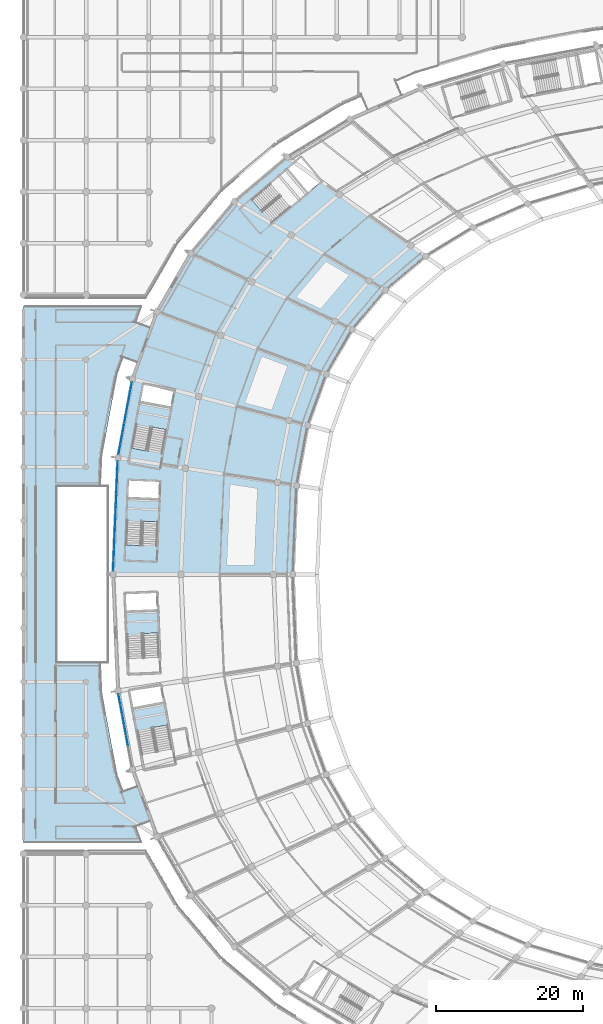
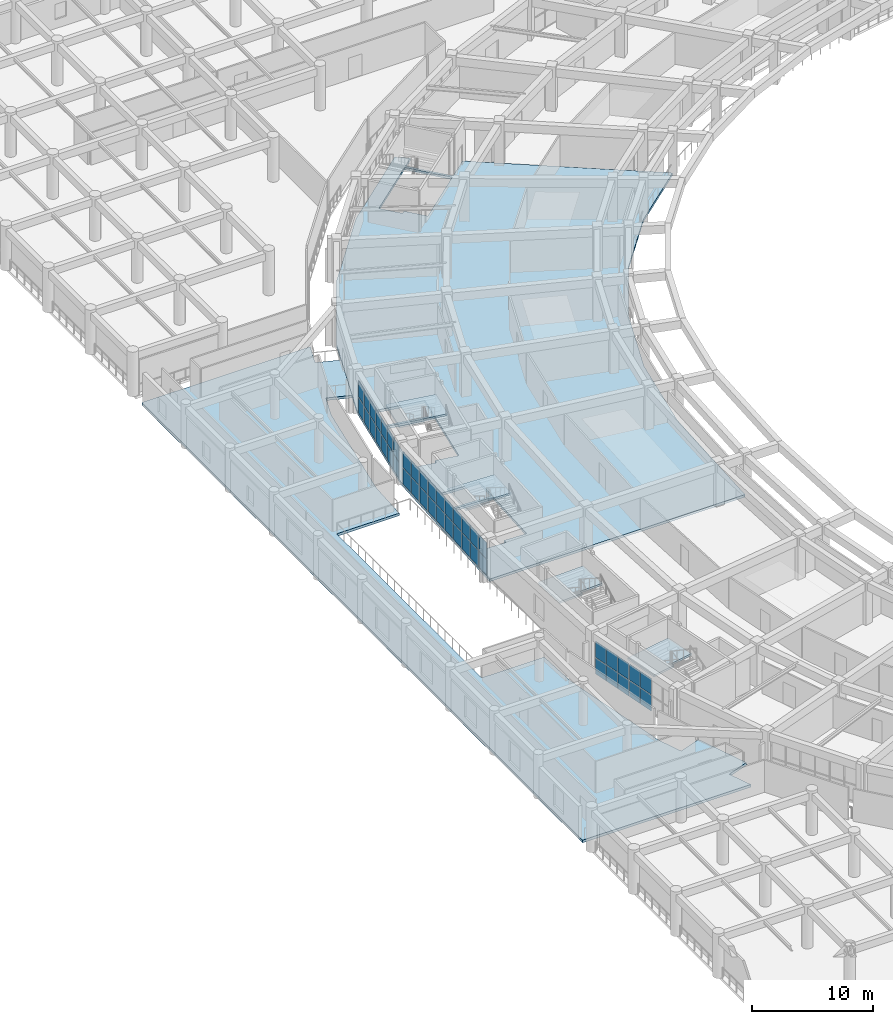
# One storey, part 81 of 145: 44 plates, 6 slabs, 7 elements without a shape of their own.
"""IFC4 building model written with IfcOpenShell, lengths in metres."""

from ifc_helpers import new_model, si_unit, direction, frame, origin, origin_2d, place, context, subcontext, project, spatial, polyline, rectangle, outline, extrude, material, layer, layer_set, type_object, element, aggregate, save


model = new_model("IFC4")

# Units and contexts
model_context = context("Model", 3, precision=1e-05, world=origin(), true_north=direction((0.0, 1.0)))
body_context = subcontext(model_context, "Body", "Model", "MODEL_VIEW")
ifc_project = project(units=[si_unit("LENGTHUNIT", "METRE"), si_unit("AREAUNIT", "SQUARE_METRE"), si_unit("VOLUMEUNIT", "CUBIC_METRE"), si_unit("PLANEANGLEUNIT", "RADIAN"), si_unit("MASSUNIT", "GRAM", prefix="KILO")], contexts=[model_context])

# Site, building, storey
site_placement = place(None, origin())
site = spatial("IfcSite", under=ifc_project, at=site_placement, CompositionType="ELEMENT")
building_placement = place(site_placement, origin())
building = spatial("IfcBuilding", under=site, at=building_placement, Name="Mphavela Belvedere Stadium", CompositionType="ELEMENT")
storey_placement = place(building_placement, frame((0.0, 0.0, 10.199951171875)))
storey = spatial("IfcBuildingStorey", under=building, at=storey_placement, Name="L02", CompositionType="ELEMENT", Elevation=10.199951171875)

# Curtain wall, plates
ifc_material_1 = material(Name="Anodised bronze unitised curtain wall framing")
ifc_layer_1 = layer(ifc_material_1, 0.18505859375)
ifc_layer_set_1 = layer_set([ifc_layer_1], Name="Anodised bronze unitised curtain wall framing")
curtain_wall_type_1 = type_object("IfcCurtainWallType", Name="CW-UNIT-02", PredefinedType="USERDEFINED", material=ifc_layer_set_1)
curtain_wall_1_placement = place(storey_placement, origin())
curtain_wall_1 = element("IfcCurtainWall", 1, at=curtain_wall_1_placement, inside=storey, type_object=curtain_wall_type_1, Name="Belvedere colonnade curtain wall L02-23", ObjectType="UNITISED CURTAIN WALL", PredefinedType="USERDEFINED")
ifc_material_2 = material(Name="Solar-control double glazing", Category="glass")
ifc_layer_2 = layer(ifc_material_2, 0.031982421875)
ifc_layer_set_2 = layer_set([ifc_layer_2], Name="Solar-control double glazing")
plate_type = type_object("IfcPlateType", Name="CWP-SOLAR-GLASS", PredefinedType="CURTAIN_PANEL", material=ifc_layer_set_2)
plate_1_placement = place(storey_placement, frame((14.6279296875, 112.445556640625, 0.06005859375), z_axis=(0.0, 0.0, 1.0), x_axis=(-0.182625402503, -0.983182568174, 0.0)))
plate_1 = element("IfcPlate", 2, at=plate_1_placement, type_object=plate_type, Name="CW-02 panel 1.1", PredefinedType="CURTAIN_PANEL", context=body_context, shape_type="SweptSolid", body=[
    extrude(rectangle(XDim=1.345947265625, YDim=0.031982421875, at=origin_2d()), origin(), (0.0, 0.0, 1.0), 1.6201171875),
])
plate_2_placement = place(storey_placement, frame((14.6279296875, 112.445556640625, 1.739990234375), z_axis=(0.0, 0.0, 1.0), x_axis=(-0.182625402503, -0.983182568174, 0.0)))
plate_2 = element("IfcPlate", 3, at=plate_2_placement, type_object=plate_type, Name="CW-02 panel 1.2", PredefinedType="CURTAIN_PANEL", context=body_context, shape_type="SweptSolid", body=[
    extrude(rectangle(XDim=1.345947265625, YDim=0.031982421875, at=origin_2d()), origin(), (0.0, 0.0, 1.0), 1.6201171875),
])
plate_3_placement = place(storey_placement, frame((14.3671875, 111.042236328125, 0.06005859375), z_axis=(0.0, 0.0, 1.0), x_axis=(-0.182625402503, -0.983182568174, 0.0)))
plate_3 = element("IfcPlate", 4, at=plate_3_placement, type_object=plate_type, Name="CW-02 panel 2.1", PredefinedType="CURTAIN_PANEL", context=body_context, shape_type="SweptSolid", body=[
    extrude(rectangle(XDim=1.378662109375, YDim=0.031982421875, at=origin_2d()), origin(), (0.0, 0.0, 1.0), 1.6201171875),
])
plate_4_placement = place(storey_placement, frame((14.3671875, 111.042236328125, 1.739990234375), z_axis=(0.0, 0.0, 1.0), x_axis=(-0.182625402503, -0.983182568174, 0.0)))
plate_4 = element("IfcPlate", 5, at=plate_4_placement, type_object=plate_type, Name="CW-02 panel 2.2", PredefinedType="CURTAIN_PANEL", context=body_context, shape_type="SweptSolid", body=[
    extrude(rectangle(XDim=1.378662109375, YDim=0.031982421875, at=origin_2d()), origin(), (0.0, 0.0, 1.0), 1.6201171875),
])
plate_5_placement = place(storey_placement, frame((14.103515625, 109.623046875, 0.06005859375), z_axis=(0.0, 0.0, 1.0), x_axis=(-0.182625402503, -0.983182568174, 0.0)))
plate_5 = element("IfcPlate", 6, at=plate_5_placement, type_object=plate_type, Name="CW-02 panel 3.1", PredefinedType="CURTAIN_PANEL", context=body_context, shape_type="SweptSolid", body=[
    extrude(rectangle(XDim=1.378662109375, YDim=0.031982421875, at=origin_2d()), origin(), (0.0, 0.0, 1.0), 1.6201171875),
])
plate_6_placement = place(storey_placement, frame((14.103515625, 109.623046875, 1.739990234375), z_axis=(0.0, 0.0, 1.0), x_axis=(-0.182625402503, -0.983182568174, 0.0)))
plate_6 = element("IfcPlate", 7, at=plate_6_placement, type_object=plate_type, Name="CW-02 panel 3.2", PredefinedType="CURTAIN_PANEL", context=body_context, shape_type="SweptSolid", body=[
    extrude(rectangle(XDim=1.378662109375, YDim=0.031982421875, at=origin_2d()), origin(), (0.0, 0.0, 1.0), 1.6201171875),
])
plate_7_placement = place(storey_placement, frame((13.840087890625, 108.203857421875, 0.06005859375), z_axis=(0.0, 0.0, 1.0), x_axis=(-0.182625402503, -0.983182568174, 0.0)))
plate_7 = element("IfcPlate", 8, at=plate_7_placement, type_object=plate_type, Name="CW-02 panel 4.1", PredefinedType="CURTAIN_PANEL", context=body_context, shape_type="SweptSolid", body=[
    extrude(rectangle(XDim=1.378662109375, YDim=0.031982421875, at=origin_2d()), origin(), (0.0, 0.0, 1.0), 1.6201171875),
])
plate_8_placement = place(storey_placement, frame((13.840087890625, 108.203857421875, 1.739990234375), z_axis=(0.0, 0.0, 1.0), x_axis=(-0.182625402503, -0.983182568174, 0.0)))
plate_8 = element("IfcPlate", 9, at=plate_8_placement, type_object=plate_type, Name="CW-02 panel 4.2", PredefinedType="CURTAIN_PANEL", context=body_context, shape_type="SweptSolid", body=[
    extrude(rectangle(XDim=1.378662109375, YDim=0.031982421875, at=origin_2d()), origin(), (0.0, 0.0, 1.0), 1.6201171875),
])
plate_9_placement = place(storey_placement, frame((13.576416015625, 106.784423828125, 0.06005859375), z_axis=(0.0, 0.0, 1.0), x_axis=(-0.182625402503, -0.983182568174, 0.0)))
plate_9 = element("IfcPlate", 10, at=plate_9_placement, type_object=plate_type, Name="CW-02 panel 5.1", PredefinedType="CURTAIN_PANEL", context=body_context, shape_type="SweptSolid", body=[
    extrude(rectangle(XDim=1.378662109375, YDim=0.031982421875, at=origin_2d()), origin(), (0.0, 0.0, 1.0), 1.6201171875),
])
plate_10_placement = place(storey_placement, frame((13.576416015625, 106.784423828125, 1.739990234375), z_axis=(0.0, 0.0, 1.0), x_axis=(-0.182625402503, -0.983182568174, 0.0)))
plate_10 = element("IfcPlate", 11, at=plate_10_placement, type_object=plate_type, Name="CW-02 panel 5.2", PredefinedType="CURTAIN_PANEL", context=body_context, shape_type="SweptSolid", body=[
    extrude(rectangle(XDim=1.378662109375, YDim=0.031982421875, at=origin_2d()), origin(), (0.0, 0.0, 1.0), 1.6201171875),
])
plate_11_placement = place(storey_placement, frame((13.312744140625, 105.365234375, 0.06005859375), z_axis=(0.0, 0.0, 1.0), x_axis=(-0.182625402503, -0.983182568174, 0.0)))
plate_11 = element("IfcPlate", 12, at=plate_11_placement, type_object=plate_type, Name="CW-02 panel 6.1", PredefinedType="CURTAIN_PANEL", context=body_context, shape_type="SweptSolid", body=[
    extrude(rectangle(XDim=1.378662109375, YDim=0.031982421875, at=origin_2d()), origin(), (0.0, 0.0, 1.0), 1.6201171875),
])
plate_12_placement = place(storey_placement, frame((13.312744140625, 105.365234375, 1.739990234375), z_axis=(0.0, 0.0, 1.0), x_axis=(-0.182625402503, -0.983182568174, 0.0)))
plate_12 = element("IfcPlate", 13, at=plate_12_placement, type_object=plate_type, Name="CW-02 panel 6.2", PredefinedType="CURTAIN_PANEL", context=body_context, shape_type="SweptSolid", body=[
    extrude(rectangle(XDim=1.378662109375, YDim=0.031982421875, at=origin_2d()), origin(), (0.0, 0.0, 1.0), 1.6201171875),
])
plate_13_placement = place(storey_placement, frame((13.052001953125, 103.9619140625, 0.06005859375), z_axis=(0.0, 0.0, 1.0), x_axis=(-0.182625402503, -0.983182568174, 0.0)))
plate_13 = element("IfcPlate", 14, at=plate_13_placement, type_object=plate_type, Name="CW-02 panel 7.1", PredefinedType="CURTAIN_PANEL", context=body_context, shape_type="SweptSolid", body=[
    extrude(rectangle(XDim=1.345947265625, YDim=0.031982421875, at=origin_2d()), origin(), (0.0, 0.0, 1.0), 1.6201171875),
])
plate_14_placement = place(storey_placement, frame((13.052001953125, 103.9619140625, 1.739990234375), z_axis=(0.0, 0.0, 1.0), x_axis=(-0.182625402503, -0.983182568174, 0.0)))
plate_14 = element("IfcPlate", 15, at=plate_14_placement, type_object=plate_type, Name="CW-02 panel 7.2", PredefinedType="CURTAIN_PANEL", context=body_context, shape_type="SweptSolid", body=[
    extrude(rectangle(XDim=1.345947265625, YDim=0.031982421875, at=origin_2d()), origin(), (0.0, 0.0, 1.0), 1.6201171875),
])
aggregate(curtain_wall_1, [plate_1, plate_2, plate_3, plate_4, plate_5, plate_6, plate_7, plate_8, plate_9, plate_10, plate_11, plate_12, plate_13, plate_14])

ifc_material_3 = material(Name="Anodised bronze unitised curtain wall framing")
ifc_layer_3 = layer(ifc_material_3, 0.18994140625)
ifc_layer_set_3 = layer_set([ifc_layer_3], Name="Anodised bronze unitised curtain wall framing")
curtain_wall_type_2 = type_object("IfcCurtainWallType", Name="CW-UNIT-03", PredefinedType="USERDEFINED", material=ifc_layer_set_3)
curtain_wall_2_placement = place(storey_placement, origin())
curtain_wall_2 = element("IfcCurtainWall", 16, at=curtain_wall_2_placement, inside=storey, type_object=curtain_wall_type_2, Name="Belvedere colonnade curtain wall L02-24", ObjectType="UNITISED CURTAIN WALL", PredefinedType="USERDEFINED")
plate_15_placement = place(storey_placement, frame((12.795654296875, 101.678466796875, 0.06005859375), z_axis=(0.0, 0.0, 1.0), x_axis=(-0.04190447371, -0.999121621767, 0.0)))
plate_15 = element("IfcPlate", 17, at=plate_15_placement, type_object=plate_type, Name="CW-03 panel 1.1", PredefinedType="CURTAIN_PANEL", context=body_context, shape_type="SweptSolid", body=[
    extrude(rectangle(XDim=1.40869140625, YDim=0.031982421875, at=origin_2d()), origin(), (0.0, 0.0, 1.0), 1.6201171875),
])
plate_16_placement = place(storey_placement, frame((12.795654296875, 101.678466796875, 1.739990234375), z_axis=(0.0, 0.0, 1.0), x_axis=(-0.04190447371, -0.999121621767, 0.0)))
plate_16 = element("IfcPlate", 18, at=plate_16_placement, type_object=plate_type, Name="CW-03 panel 1.2", PredefinedType="CURTAIN_PANEL", context=body_context, shape_type="SweptSolid", body=[
    extrude(rectangle(XDim=1.40869140625, YDim=0.031982421875, at=origin_2d()), origin(), (0.0, 0.0, 1.0), 1.6201171875),
])
plate_17_placement = place(storey_placement, frame((12.733154296875, 100.18994140625, 0.06005859375), z_axis=(0.0, 0.0, 1.0), x_axis=(-0.04190447371, -0.999121621767, 0.0)))
plate_17 = element("IfcPlate", 19, at=plate_17_placement, type_object=plate_type, Name="CW-03 panel 2.1", PredefinedType="CURTAIN_PANEL", context=body_context, shape_type="SweptSolid", body=[
    extrude(rectangle(XDim=1.441162109375, YDim=0.031982421875, at=origin_2d()), origin(), (0.0, 0.0, 1.0), 1.6201171875),
])
plate_18_placement = place(storey_placement, frame((12.733154296875, 100.18994140625, 1.739990234375), z_axis=(0.0, 0.0, 1.0), x_axis=(-0.04190447371, -0.999121621767, 0.0)))
plate_18 = element("IfcPlate", 20, at=plate_18_placement, type_object=plate_type, Name="CW-03 panel 2.2", PredefinedType="CURTAIN_PANEL", context=body_context, shape_type="SweptSolid", body=[
    extrude(rectangle(XDim=1.441162109375, YDim=0.031982421875, at=origin_2d()), origin(), (0.0, 0.0, 1.0), 1.6201171875),
])
plate_19_placement = place(storey_placement, frame((12.670166015625, 98.684814453125, 0.06005859375), z_axis=(0.0, 0.0, 1.0), x_axis=(-0.04190447371, -0.999121621767, 0.0)))
plate_19 = element("IfcPlate", 21, at=plate_19_placement, type_object=plate_type, Name="CW-03 panel 3.1", PredefinedType="CURTAIN_PANEL", context=body_context, shape_type="SweptSolid", body=[
    extrude(rectangle(XDim=1.441162109375, YDim=0.031982421875, at=origin_2d()), origin(), (0.0, 0.0, 1.0), 1.6201171875),
])
plate_20_placement = place(storey_placement, frame((12.670166015625, 98.684814453125, 1.739990234375), z_axis=(0.0, 0.0, 1.0), x_axis=(-0.04190447371, -0.999121621767, 0.0)))
plate_20 = element("IfcPlate", 22, at=plate_20_placement, type_object=plate_type, Name="CW-03 panel 3.2", PredefinedType="CURTAIN_PANEL", context=body_context, shape_type="SweptSolid", body=[
    extrude(rectangle(XDim=1.441162109375, YDim=0.031982421875, at=origin_2d()), origin(), (0.0, 0.0, 1.0), 1.6201171875),
])
plate_21_placement = place(storey_placement, frame((12.60693359375, 97.179931640625, 0.06005859375), z_axis=(0.0, 0.0, 1.0), x_axis=(-0.04190447371, -0.999121621767, 0.0)))
plate_21 = element("IfcPlate", 23, at=plate_21_placement, type_object=plate_type, Name="CW-03 panel 4.1", PredefinedType="CURTAIN_PANEL", context=body_context, shape_type="SweptSolid", body=[
    extrude(rectangle(XDim=1.441162109375, YDim=0.031982421875, at=origin_2d()), origin(), (0.0, 0.0, 1.0), 1.6201171875),
])
plate_22_placement = place(storey_placement, frame((12.60693359375, 97.179931640625, 1.739990234375), z_axis=(0.0, 0.0, 1.0), x_axis=(-0.04190447371, -0.999121621767, 0.0)))
plate_22 = element("IfcPlate", 24, at=plate_22_placement, type_object=plate_type, Name="CW-03 panel 4.2", PredefinedType="CURTAIN_PANEL", context=body_context, shape_type="SweptSolid", body=[
    extrude(rectangle(XDim=1.441162109375, YDim=0.031982421875, at=origin_2d()), origin(), (0.0, 0.0, 1.0), 1.6201171875),
])
plate_23_placement = place(storey_placement, frame((12.5439453125, 95.675048828125, 0.06005859375), z_axis=(0.0, 0.0, 1.0), x_axis=(-0.04190447371, -0.999121621767, 0.0)))
plate_23 = element("IfcPlate", 25, at=plate_23_placement, type_object=plate_type, Name="CW-03 panel 5.1", PredefinedType="CURTAIN_PANEL", context=body_context, shape_type="SweptSolid", body=[
    extrude(rectangle(XDim=1.441162109375, YDim=0.031982421875, at=origin_2d()), origin(), (0.0, 0.0, 1.0), 1.6201171875),
])
plate_24_placement = place(storey_placement, frame((12.5439453125, 95.675048828125, 1.739990234375), z_axis=(0.0, 0.0, 1.0), x_axis=(-0.04190447371, -0.999121621767, 0.0)))
plate_24 = element("IfcPlate", 26, at=plate_24_placement, type_object=plate_type, Name="CW-03 panel 5.2", PredefinedType="CURTAIN_PANEL", context=body_context, shape_type="SweptSolid", body=[
    extrude(rectangle(XDim=1.441162109375, YDim=0.031982421875, at=origin_2d()), origin(), (0.0, 0.0, 1.0), 1.6201171875),
])
plate_25_placement = place(storey_placement, frame((12.480712890625, 94.169921875, 0.06005859375), z_axis=(0.0, 0.0, 1.0), x_axis=(-0.04190447371, -0.999121621767, 0.0)))
plate_25 = element("IfcPlate", 27, at=plate_25_placement, type_object=plate_type, Name="CW-03 panel 6.1", PredefinedType="CURTAIN_PANEL", context=body_context, shape_type="SweptSolid", body=[
    extrude(rectangle(XDim=1.441162109375, YDim=0.031982421875, at=origin_2d()), origin(), (0.0, 0.0, 1.0), 1.6201171875),
])
plate_26_placement = place(storey_placement, frame((12.480712890625, 94.169921875, 1.739990234375), z_axis=(0.0, 0.0, 1.0), x_axis=(-0.04190447371, -0.999121621767, 0.0)))
plate_26 = element("IfcPlate", 28, at=plate_26_placement, type_object=plate_type, Name="CW-03 panel 6.2", PredefinedType="CURTAIN_PANEL", context=body_context, shape_type="SweptSolid", body=[
    extrude(rectangle(XDim=1.441162109375, YDim=0.031982421875, at=origin_2d()), origin(), (0.0, 0.0, 1.0), 1.6201171875),
])
plate_27_placement = place(storey_placement, frame((12.417724609375, 92.6650390625, 0.06005859375), z_axis=(0.0, 0.0, 1.0), x_axis=(-0.04190447371, -0.999121621767, 0.0)))
plate_27 = element("IfcPlate", 29, at=plate_27_placement, type_object=plate_type, Name="CW-03 panel 7.1", PredefinedType="CURTAIN_PANEL", context=body_context, shape_type="SweptSolid", body=[
    extrude(rectangle(XDim=1.441162109375, YDim=0.031982421875, at=origin_2d()), origin(), (0.0, 0.0, 1.0), 1.6201171875),
])
plate_28_placement = place(storey_placement, frame((12.417724609375, 92.6650390625, 1.739990234375), z_axis=(0.0, 0.0, 1.0), x_axis=(-0.04190447371, -0.999121621767, 0.0)))
plate_28 = element("IfcPlate", 30, at=plate_28_placement, type_object=plate_type, Name="CW-03 panel 7.2", PredefinedType="CURTAIN_PANEL", context=body_context, shape_type="SweptSolid", body=[
    extrude(rectangle(XDim=1.441162109375, YDim=0.031982421875, at=origin_2d()), origin(), (0.0, 0.0, 1.0), 1.6201171875),
])
plate_29_placement = place(storey_placement, frame((12.3544921875, 91.16015625, 0.06005859375), z_axis=(0.0, 0.0, 1.0), x_axis=(-0.04190447371, -0.999121621767, 0.0)))
plate_29 = element("IfcPlate", 31, at=plate_29_placement, type_object=plate_type, Name="CW-03 panel 8.1", PredefinedType="CURTAIN_PANEL", context=body_context, shape_type="SweptSolid", body=[
    extrude(rectangle(XDim=1.441162109375, YDim=0.031982421875, at=origin_2d()), origin(), (0.0, 0.0, 1.0), 1.6201171875),
])
plate_30_placement = place(storey_placement, frame((12.3544921875, 91.16015625, 1.739990234375), z_axis=(0.0, 0.0, 1.0), x_axis=(-0.04190447371, -0.999121621767, 0.0)))
plate_30 = element("IfcPlate", 32, at=plate_30_placement, type_object=plate_type, Name="CW-03 panel 8.2", PredefinedType="CURTAIN_PANEL", context=body_context, shape_type="SweptSolid", body=[
    extrude(rectangle(XDim=1.441162109375, YDim=0.031982421875, at=origin_2d()), origin(), (0.0, 0.0, 1.0), 1.6201171875),
])
plate_31_placement = place(storey_placement, frame((12.291259765625, 89.655029296875, 0.06005859375), z_axis=(0.0, 0.0, 1.0), x_axis=(-0.04190447371, -0.999121621767, 0.0)))
plate_31 = element("IfcPlate", 33, at=plate_31_placement, type_object=plate_type, Name="CW-03 panel 9.1", PredefinedType="CURTAIN_PANEL", context=body_context, shape_type="SweptSolid", body=[
    extrude(rectangle(XDim=1.441162109375, YDim=0.031982421875, at=origin_2d()), origin(), (0.0, 0.0, 1.0), 1.6201171875),
])
plate_32_placement = place(storey_placement, frame((12.291259765625, 89.655029296875, 1.739990234375), z_axis=(0.0, 0.0, 1.0), x_axis=(-0.04190447371, -0.999121621767, 0.0)))
plate_32 = element("IfcPlate", 34, at=plate_32_placement, type_object=plate_type, Name="CW-03 panel 9.2", PredefinedType="CURTAIN_PANEL", context=body_context, shape_type="SweptSolid", body=[
    extrude(rectangle(XDim=1.441162109375, YDim=0.031982421875, at=origin_2d()), origin(), (0.0, 0.0, 1.0), 1.6201171875),
])
plate_33_placement = place(storey_placement, frame((12.22900390625, 88.16650390625, 0.06005859375), z_axis=(0.0, 0.0, 1.0), x_axis=(-0.04190447371, -0.999121621767, 0.0)))
plate_33 = element("IfcPlate", 35, at=plate_33_placement, type_object=plate_type, Name="CW-03 panel 10.1", PredefinedType="CURTAIN_PANEL", context=body_context, shape_type="SweptSolid", body=[
    extrude(rectangle(XDim=1.40869140625, YDim=0.031982421875, at=origin_2d()), origin(), (0.0, 0.0, 1.0), 1.6201171875),
])
plate_34_placement = place(storey_placement, frame((12.22900390625, 88.16650390625, 1.739990234375), z_axis=(0.0, 0.0, 1.0), x_axis=(-0.04190447371, -0.999121621767, 0.0)))
plate_34 = element("IfcPlate", 36, at=plate_34_placement, type_object=plate_type, Name="CW-03 panel 10.2", PredefinedType="CURTAIN_PANEL", context=body_context, shape_type="SweptSolid", body=[
    extrude(rectangle(XDim=1.40869140625, YDim=0.031982421875, at=origin_2d()), origin(), (0.0, 0.0, 1.0), 1.6201171875),
])
aggregate(curtain_wall_2, [plate_15, plate_16, plate_17, plate_18, plate_19, plate_20, plate_21, plate_22, plate_23, plate_24, plate_25, plate_26, plate_27, plate_28, plate_29, plate_30, plate_31, plate_32, plate_33, plate_34])

ifc_material_4 = material(Name="Anodised bronze unitised curtain wall framing")
ifc_layer_4 = layer(ifc_material_4, 0.195068359375)
ifc_layer_set_4 = layer_set([ifc_layer_4], Name="Anodised bronze unitised curtain wall framing")
curtain_wall_type_3 = type_object("IfcCurtainWallType", Name="CW-UNIT-04", PredefinedType="USERDEFINED", material=ifc_layer_set_4)
curtain_wall_3_placement = place(storey_placement, origin())
curtain_wall_3 = element("IfcCurtainWall", 37, at=curtain_wall_3_placement, inside=storey, type_object=curtain_wall_type_3, Name="Belvedere colonnade curtain wall L02-26", ObjectType="UNITISED CURTAIN WALL", PredefinedType="USERDEFINED")
plate_35_placement = place(storey_placement, frame((13.052001953125, 70.0380859375, 0.06005859375), z_axis=(0.0, 0.0, 1.0), x_axis=(0.182625402503, -0.983182568174, 0.0)))
plate_35 = element("IfcPlate", 38, at=plate_35_placement, type_object=plate_type, Name="CW-04 panel 1.1", PredefinedType="CURTAIN_PANEL", context=body_context, shape_type="SweptSolid", body=[
    extrude(rectangle(XDim=1.345947265625, YDim=0.031982421875, at=origin_2d()), origin(), (0.0, 0.0, 1.0), 1.6201171875),
])
plate_36_placement = place(storey_placement, frame((13.052001953125, 70.0380859375, 1.739990234375), z_axis=(0.0, 0.0, 1.0), x_axis=(0.182625402503, -0.983182568174, 0.0)))
plate_36 = element("IfcPlate", 39, at=plate_36_placement, type_object=plate_type, Name="CW-04 panel 1.2", PredefinedType="CURTAIN_PANEL", context=body_context, shape_type="SweptSolid", body=[
    extrude(rectangle(XDim=1.345947265625, YDim=0.031982421875, at=origin_2d()), origin(), (0.0, 0.0, 1.0), 1.6201171875),
])
plate_37_placement = place(storey_placement, frame((13.312744140625, 68.634765625, 0.06005859375), z_axis=(0.0, 0.0, 1.0), x_axis=(0.182625402503, -0.983182568174, 0.0)))
plate_37 = element("IfcPlate", 40, at=plate_37_placement, type_object=plate_type, Name="CW-04 panel 2.1", PredefinedType="CURTAIN_PANEL", context=body_context, shape_type="SweptSolid", body=[
    extrude(rectangle(XDim=1.378662109375, YDim=0.031982421875, at=origin_2d()), origin(), (0.0, 0.0, 1.0), 1.6201171875),
])
plate_38_placement = place(storey_placement, frame((13.312744140625, 68.634765625, 1.739990234375), z_axis=(0.0, 0.0, 1.0), x_axis=(0.182625402503, -0.983182568174, 0.0)))
plate_38 = element("IfcPlate", 41, at=plate_38_placement, type_object=plate_type, Name="CW-04 panel 2.2", PredefinedType="CURTAIN_PANEL", context=body_context, shape_type="SweptSolid", body=[
    extrude(rectangle(XDim=1.378662109375, YDim=0.031982421875, at=origin_2d()), origin(), (0.0, 0.0, 1.0), 1.6201171875),
])
plate_39_placement = place(storey_placement, frame((13.576416015625, 67.215576171875, 0.06005859375), z_axis=(0.0, 0.0, 1.0), x_axis=(0.182625402503, -0.983182568174, 0.0)))
plate_39 = element("IfcPlate", 42, at=plate_39_placement, type_object=plate_type, Name="CW-04 panel 3.1", PredefinedType="CURTAIN_PANEL", context=body_context, shape_type="SweptSolid", body=[
    extrude(rectangle(XDim=1.378662109375, YDim=0.031982421875, at=origin_2d()), origin(), (0.0, 0.0, 1.0), 1.6201171875),
])
plate_40_placement = place(storey_placement, frame((13.576416015625, 67.215576171875, 1.739990234375), z_axis=(0.0, 0.0, 1.0), x_axis=(0.182625402503, -0.983182568174, 0.0)))
plate_40 = element("IfcPlate", 43, at=plate_40_placement, type_object=plate_type, Name="CW-04 panel 3.2", PredefinedType="CURTAIN_PANEL", context=body_context, shape_type="SweptSolid", body=[
    extrude(rectangle(XDim=1.378662109375, YDim=0.031982421875, at=origin_2d()), origin(), (0.0, 0.0, 1.0), 1.6201171875),
])
plate_41_placement = place(storey_placement, frame((13.840087890625, 65.796142578125, 0.06005859375), z_axis=(0.0, 0.0, 1.0), x_axis=(0.182625402503, -0.983182568174, 0.0)))
plate_41 = element("IfcPlate", 44, at=plate_41_placement, type_object=plate_type, Name="CW-04 panel 4.1", PredefinedType="CURTAIN_PANEL", context=body_context, shape_type="SweptSolid", body=[
    extrude(rectangle(XDim=1.378662109375, YDim=0.031982421875, at=origin_2d()), origin(), (0.0, 0.0, 1.0), 1.6201171875),
])
plate_42_placement = place(storey_placement, frame((13.840087890625, 65.796142578125, 1.739990234375), z_axis=(0.0, 0.0, 1.0), x_axis=(0.182625402503, -0.983182568174, 0.0)))
plate_42 = element("IfcPlate", 45, at=plate_42_placement, type_object=plate_type, Name="CW-04 panel 4.2", PredefinedType="CURTAIN_PANEL", context=body_context, shape_type="SweptSolid", body=[
    extrude(rectangle(XDim=1.378662109375, YDim=0.031982421875, at=origin_2d()), origin(), (0.0, 0.0, 1.0), 1.6201171875),
])
plate_43_placement = place(storey_placement, frame((14.103515625, 64.376953125, 0.06005859375), z_axis=(0.0, 0.0, 1.0), x_axis=(0.182625402503, -0.983182568174, 0.0)))
plate_43 = element("IfcPlate", 46, at=plate_43_placement, type_object=plate_type, Name="CW-04 panel 5.1", PredefinedType="CURTAIN_PANEL", context=body_context, shape_type="SweptSolid", body=[
    extrude(rectangle(XDim=1.378662109375, YDim=0.031982421875, at=origin_2d()), origin(), (0.0, 0.0, 1.0), 1.6201171875),
])
plate_44_placement = place(storey_placement, frame((14.103515625, 64.376953125, 1.739990234375), z_axis=(0.0, 0.0, 1.0), x_axis=(0.182625402503, -0.983182568174, 0.0)))
plate_44 = element("IfcPlate", 47, at=plate_44_placement, type_object=plate_type, Name="CW-04 panel 5.2", PredefinedType="CURTAIN_PANEL", context=body_context, shape_type="SweptSolid", body=[
    extrude(rectangle(XDim=1.378662109375, YDim=0.031982421875, at=origin_2d()), origin(), (0.0, 0.0, 1.0), 1.6201171875),
])
aggregate(curtain_wall_3, [plate_35, plate_36, plate_37, plate_38, plate_39, plate_40, plate_41, plate_42, plate_43, plate_44])

# Slab
ifc_material_5 = material(Name="Concrete C40/50", Category="concrete")
ifc_layer_5 = layer(ifc_material_5, 0.25)
ifc_layer_set_5 = layer_set([ifc_layer_5], Name="Concrete C40/50")
slab_type_1 = type_object("IfcSlabType", Name="SLB-CONCOURSE-250", PredefinedType="FLOOR", material=ifc_layer_set_5)
slab_1_placement = place(storey_placement, frame((0.0, 0.0, -0.25)))
element("IfcSlab", 48, at=slab_1_placement, inside=storey, type_object=slab_type_1, Name="Concourse sector slab L02-S4", PredefinedType="FLOOR", context=body_context, shape_type="SweptSolid", body=[
    extrude(outline(polyline([(22.757568359375, 130.66162109375), (28.66162109375, 137.653564453125), (35.844482421875, 143.714599609375), (36.924560546875, 142.940673828125), (36.0, 142.160400390625), (38.702392578125, 138.958251953125), (40.4296875, 140.415771484375), (40.400634765625, 140.449951171875), (54.66259765625, 130.2314453125), (49.1875, 125.611328125), (44.68701171875, 120.281494140625), (41.170166015625, 114.19921875), (38.648193359375, 107.24755859375), (37.130615234375, 99.078125), (36.6240234375, 87.0), (12.179931640625, 87.0), (12.844482421875, 102.844970703125), (14.83544921875, 113.5625), (18.143798828125, 122.682373046875), (22.757568359375, 130.66162109375)]), holes=[polyline([(33.979248046875, 134.97265625), (38.5341796875, 138.81640625), (35.83203125, 142.0185546875), (31.020263671875, 137.9580078125), (32.371337890625, 136.35693359375), (32.628173828125, 136.57373046875), (33.979248046875, 134.97265625)]), polyline([(16.785888671875, 103.780517578125), (16.84716796875, 104.11083984375), (18.906982421875, 103.728515625), (19.9951171875, 109.58837890625), (15.87548828125, 110.353271484375), (14.72607421875, 104.1630859375), (16.785888671875, 103.780517578125)]), polyline([(20.03515625, 109.8046875), (20.44775390625, 112.026611328125), (16.328125, 112.79150390625), (15.91552734375, 110.569580078125), (20.03515625, 109.8046875)]), polyline([(14.200439453125, 97.29345703125), (13.936767578125, 91.0029296875), (16.030029296875, 90.915283203125), (16.044189453125, 91.2509765625), (18.13720703125, 91.1630859375), (18.38671875, 97.117919921875), (14.200439453125, 97.29345703125)]), polyline([(14.30419921875, 99.771240234375), (14.209716796875, 97.51318359375), (18.39599609375, 97.337890625), (18.490478515625, 99.595703125), (14.30419921875, 99.771240234375)])]), origin(), (0.0, 0.0, 1.0), 0.25),
])

# Stair, slab
ifc_material_6 = material(Name="Concrete C40/50", Category="concrete")
stair_type_1 = type_object("IfcStairType", Name="STR-HALF-TURN-3", PredefinedType="HALF_TURN_STAIR", material=ifc_material_6)
stair_1_placement = place(storey_placement, origin())
stair_1 = element("IfcStair", 49, at=stair_1_placement, inside=storey, type_object=stair_type_1, Name="L02 Escape stair core C06", PredefinedType="HALF_TURN_STAIR")
ifc_material_7 = material(Name="Concrete C40/50", Category="concrete")
ifc_layer_6 = layer(ifc_material_7, 0.199951171875)
ifc_layer_set_6 = layer_set([ifc_layer_6], Name="Concrete C40/50")
slab_type_2 = type_object("IfcSlabType", Name="SLB-LANDING-200", PredefinedType="LANDING", material=ifc_layer_set_6)
slab_2_placement = place(storey_placement, frame((0.0, 0.0, 2.050048828125)))
slab_2 = element("IfcSlab", 50, at=slab_2_placement, type_object=slab_type_2, Name="ST-C06 landing 1", PredefinedType="LANDING", context=body_context, shape_type="SweptSolid", body=[
    extrude(outline(polyline([(19.568359375, 106.633544921875), (20.113037109375, 109.56640625), (15.757568359375, 110.375244140625), (15.148193359375, 107.09326171875), (17.32568359375, 106.68896484375), (17.390625, 107.037841796875), (19.568359375, 106.633544921875)])), origin(), (0.0, 0.0, 1.0), 0.199951171875),
])
aggregate(stair_1, [slab_2])

ifc_material_8 = material(Name="Concrete C40/50", Category="concrete")
stair_type_2 = type_object("IfcStairType", Name="STR-HALF-TURN-1", PredefinedType="HALF_TURN_STAIR", material=ifc_material_8)
stair_2_placement = place(storey_placement, origin())
stair_2 = element("IfcStair", 51, at=stair_2_placement, inside=storey, type_object=stair_type_2, Name="L02 Escape stair core C07", PredefinedType="HALF_TURN_STAIR")
slab_3_placement = place(storey_placement, frame((0.0, 0.0, 2.050048828125)))
slab_3 = element("IfcSlab", 52, at=slab_3_placement, type_object=slab_type_2, Name="ST-C07 landing 1", PredefinedType="LANDING", context=body_context, shape_type="SweptSolid", body=[
    extrude(outline(polyline([(18.3818359375, 94.132568359375), (18.506591796875, 97.113037109375), (14.08056640625, 97.298583984375), (13.94091796875, 93.96337890625), (16.15380859375, 93.87060546875), (16.168701171875, 94.225341796875), (18.3818359375, 94.132568359375)])), origin(), (0.0, 0.0, 1.0), 0.199951171875),
])
aggregate(stair_2, [slab_3])

ifc_material_9 = material(Name="Concrete C40/50", Category="concrete")
stair_type_3 = type_object("IfcStairType", Name="STR-HALF-TURN-2", PredefinedType="HALF_TURN_STAIR", material=ifc_material_9)
stair_3_placement = place(storey_placement, origin())
stair_3 = element("IfcStair", 53, at=stair_3_placement, inside=storey, type_object=stair_type_3, Name="L02 Escape stair core C08", PredefinedType="HALF_TURN_STAIR")
slab_4_placement = place(storey_placement, frame((0.0, 0.0, 2.050048828125)))
slab_4 = element("IfcSlab", 54, at=slab_4_placement, type_object=slab_type_2, Name="ST-C08 landing 1", PredefinedType="LANDING", context=body_context, shape_type="SweptSolid", body=[
    extrude(outline(polyline([(18.416259765625, 79.0419921875), (18.29150390625, 82.0224609375), (13.865234375, 81.8369140625), (14.005126953125, 78.501953125), (16.218017578125, 78.5947265625), (16.203125, 78.949462890625), (18.416259765625, 79.0419921875)])), origin(), (0.0, 0.0, 1.0), 0.199951171875),
])
aggregate(stair_3, [slab_4])

stair_4_placement = place(storey_placement, origin())
stair_4 = element("IfcStair", 55, at=stair_4_placement, inside=storey, type_object=stair_type_1, Name="L02 Escape stair core C09", PredefinedType="HALF_TURN_STAIR")
slab_5_placement = place(storey_placement, frame((0.0, 0.0, 2.050048828125)))
slab_5 = element("IfcSlab", 56, at=slab_5_placement, type_object=slab_type_2, Name="ST-C09 landing 1", PredefinedType="LANDING", context=body_context, shape_type="SweptSolid", body=[
    extrude(outline(polyline([(19.71923828125, 66.554443359375), (19.174560546875, 69.4873046875), (14.819091796875, 68.678466796875), (15.428466796875, 65.396484375), (17.606201171875, 65.801025390625), (17.54150390625, 66.14990234375), (19.71923828125, 66.554443359375)])), origin(), (0.0, 0.0, 1.0), 0.199951171875),
])
aggregate(stair_4, [slab_5])

# Slab
ifc_material_10 = material(Name="Concrete C40/50", Category="concrete")
ifc_layer_7 = layer(ifc_material_10, 0.260009765625)
ifc_layer_set_7 = layer_set([ifc_layer_7], Name="Concrete C40/50")
slab_type_3 = type_object("IfcSlabType", Name="SLB-PAVILION-260", PredefinedType="FLOOR", material=ifc_layer_set_7)
slab_6_placement = place(storey_placement, frame((0.0, 0.0, -0.260009765625)))
element("IfcSlab", 57, at=slab_6_placement, inside=storey, type_object=slab_type_3, Name="West Planted Eaves Peristyle Colonnade floor slab L02-1", PredefinedType="FLOOR", context=body_context, shape_type="SweptSolid", body=[
    extrude(outline(polyline([(15.30810546875, 121.31689453125), (17.376220703125, 120.56640625), (15.60302734375, 115.67822265625), (13.534912109375, 116.428466796875), (12.767333984375, 114.312744140625), (12.712646484375, 114.140380859375), (12.67236328125, 113.96435546875), (10.681640625, 103.246826171875), (10.646484375, 102.937255859375), (10.4814453125, 99.0), (4.5, 99.0), (4.5, 75.0), (10.4814453125, 75.0), (10.646484375, 71.062744140625), (10.681640625, 70.753173828125), (12.67236328125, 60.03564453125), (12.712646484375, 59.859619140625), (12.767333984375, 59.687255859375), (13.534912109375, 57.571533203125), (15.60302734375, 58.32177734375), (17.376220703125, 53.43359375), (15.30810546875, 52.68310546875), (16.103759765625, 50.5), (0.0, 50.5), (0.0, 123.5), (16.103759765625, 123.5), (15.30810546875, 121.31689453125)])), origin(), (0.0, 0.0, 1.0), 0.260009765625),
])

save(model, "model.ifc")
